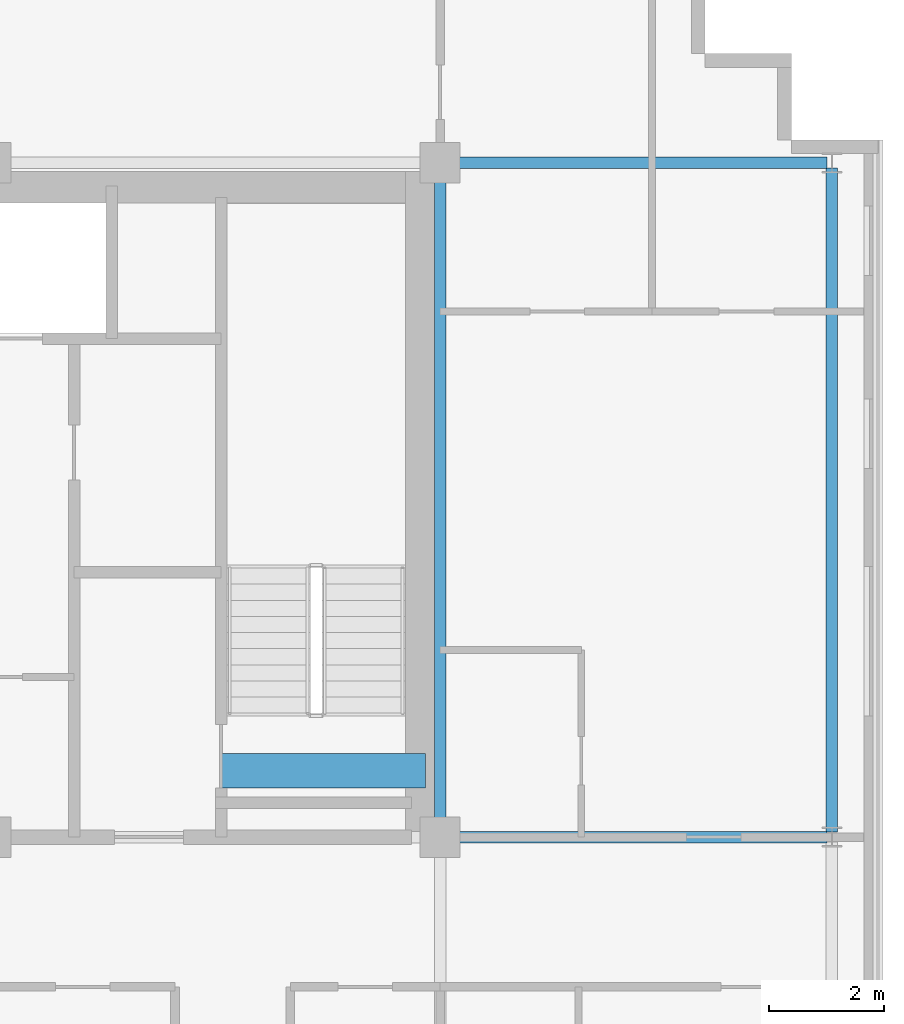
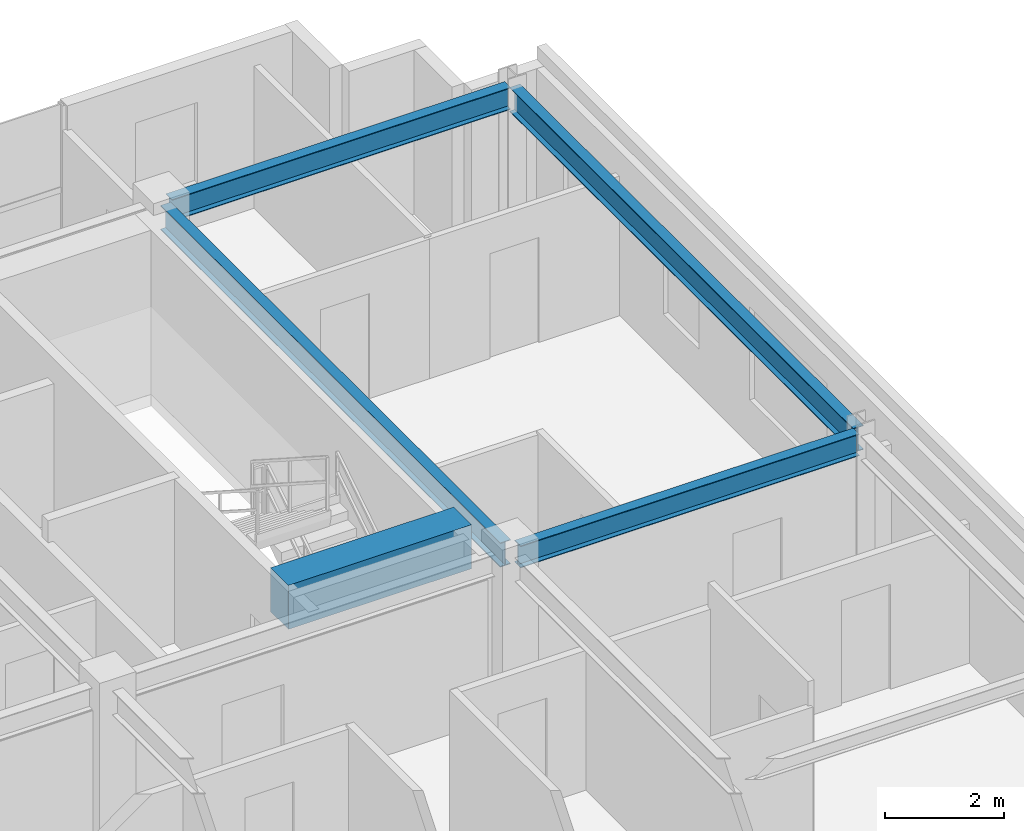
# One storey, part 13 of 23: 5 beams.
"""IFC4 building model written with IfcOpenShell, lengths in metres."""

from ifc_helpers import new_model, si_unit, direction, frame, origin, origin_2d, place, context, subcontext, project, spatial, rectangle, i_section, extrude, source, transform, mapped, material, material_profile, profile_set, type_object, element, save


model = new_model("IFC4")

# Units and contexts
model_context = context("Model", 3, precision=1e-05, world=origin(), true_north=direction((0.0, 1.0)))
body_context = subcontext(model_context, "Body", "Model", "MODEL_VIEW")
ifc_project = project(units=[si_unit("LENGTHUNIT", "METRE"), si_unit("AREAUNIT", "SQUARE_METRE"), si_unit("VOLUMEUNIT", "CUBIC_METRE"), si_unit("PLANEANGLEUNIT", "RADIAN"), si_unit("MASSUNIT", "GRAM", prefix="KILO")], contexts=[model_context])

# Site, building, storey
site_placement = place(None, origin())
site = spatial("IfcSite", under=ifc_project, at=site_placement, CompositionType="ELEMENT")
building_placement = place(site_placement, origin())
building = spatial("IfcBuilding", under=site, at=building_placement, Name="Trelvane Seafront Commons", CompositionType="ELEMENT")
storey_placement = place(building_placement, frame((0.0, 0.0, 208.5)))
storey = spatial("IfcBuildingStorey", under=building, at=storey_placement, Name="L54", CompositionType="ELEMENT", Elevation=208.5)

# Beams
ifc_material_1 = material(Name="Concrete C60/75", Category="concrete")
ifc_material_profile_1 = material_profile(ifc_material_1, rectangle(XDim=0.60009765625, YDim=0.89990234375, at=origin_2d()), Name="RC-600x900")
ifc_profile_set_1 = profile_set([ifc_material_profile_1], Name="Concrete C60/75")
beam_type_1 = type_object("IfcBeamType", Name="STR-LNT-RC600x900", PredefinedType="LINTEL", material=ifc_profile_set_1)
shared_shape_1 = source(origin(), body_context, "Body", "SweptSolid", [
    extrude(rectangle(XDim=0.60009765625, YDim=0.89990234375, at=origin_2d()), origin(), (0.0, 0.0, 1.0), 3.550048828125),
])
beam_1_placement = place(storey_placement, frame((55.0, 34.550048828125, 2.909912109375), z_axis=(1.0, 0.0, 0.0), x_axis=(0.0, 1.0, 0.0)))
element("IfcBeam", 1, at=beam_1_placement, inside=storey, type_object=beam_type_1, Name="L54 Core Coupling Lintel Beam CB-68", PredefinedType="LINTEL", context=body_context, shape_type="MappedRepresentation", body=[
    mapped(shared_shape_1, transform((0.0, 0.0, 0.0), x_axis=(1.0, 0.0, 0.0), y_axis=(0.0, 1.0, 0.0), z_axis=(0.0, 0.0, 1.0), scale=1.0)),
])
ifc_material_2 = material(Name="Steel SM355 (S355)", Category="steel")
ifc_material_profile_2 = material_profile(ifc_material_2, i_section(OverallWidth=0.199951171875, OverallDepth=0.5, WebThickness=0.010009765625, FlangeThickness=0.01611328125, at=origin_2d()), Name="H-500x200x10x16")
ifc_profile_set_2 = profile_set([ifc_material_profile_2], Name="Steel SM355 (S355)")
beam_type_2 = type_object("IfcBeamType", Name="STR-BM-H500", PredefinedType="BEAM", material=ifc_profile_set_2)
shared_shape_2 = source(origin(), body_context, "Body", "SweptSolid", [
    extrude(i_section(OverallWidth=0.199951171875, OverallDepth=0.5, WebThickness=0.010009765625, FlangeThickness=0.01611328125, at=origin_2d()), origin(), (0.0, 0.0, 1.0), 11.39990234375),
])
beam_2_placement = place(storey_placement, frame((58.800048828125, 33.550048828125, 3.110107421875), z_axis=(0.0, 1.0, 0.0), x_axis=(-1.0, 0.0, 0.0)))
element("IfcBeam", 2, at=beam_2_placement, inside=storey, type_object=beam_type_2, Name="L54 Primary Girder G-49", PredefinedType="BEAM", context=body_context, shape_type="MappedRepresentation", body=[
    mapped(shared_shape_2, transform((0.0, 0.0, 0.0), x_axis=(1.0, 0.0, 0.0), y_axis=(0.0, 1.0, 0.0), z_axis=(0.0, 0.0, 1.0), scale=1.0)),
])
ifc_material_profile_3 = material_profile(ifc_material_2, i_section(OverallWidth=0.199951171875, OverallDepth=0.449951171875, WebThickness=0.009033203125, FlangeThickness=0.013916015625, at=origin_2d()), Name="H-450x200x9x14")
ifc_profile_set_3 = profile_set([ifc_material_profile_3], Name="Steel SM355 (S355)")
beam_type_3 = type_object("IfcBeamType", Name="STR-SPD-H450", PredefinedType="SPANDREL", material=ifc_profile_set_3)
shared_shape_3 = source(origin(), body_context, "Body", "SweptSolid", [
    extrude(i_section(OverallWidth=0.199951171875, OverallDepth=0.449951171875, WebThickness=0.009033203125, FlangeThickness=0.013916015625, at=origin_2d()), origin(), (0.0, 0.0, 1.0), 6.5625),
])
for number, where, z_axis, x_axis, name in (
    (3, (58.949951171875, 33.39990234375, 3.135009765625), (1.0, 0.0, 0.0), (0.0, 1.0, 0.0), "L54 Primary Girder G-21"),
    (4, (58.949951171875, 45.10009765625, 3.135009765625), (1.0, 0.0, 0.0), (0.0, 1.0, 0.0), "L54 Primary Girder G-28"),
):
    element("IfcBeam", number, at=place(storey_placement, frame(where, z_axis=z_axis, x_axis=x_axis)), inside=storey, type_object=beam_type_3, Name=name, PredefinedType="SPANDREL", context=body_context, shape_type="MappedRepresentation", body=[
        mapped(shared_shape_3, transform((0.0, 0.0, 0.0), x_axis=(1.0, 0.0, 0.0), y_axis=(0.0, 1.0, 0.0), z_axis=(0.0, 0.0, 1.0), scale=1.0)),
    ])
shared_shape_4 = source(origin(), body_context, "Body", "SweptSolid", [
    extrude(i_section(OverallWidth=0.199951171875, OverallDepth=0.5, WebThickness=0.010009765625, FlangeThickness=0.01611328125, at=origin_2d()), origin(), (0.0, 0.0, 1.0), 11.52490234375),
])
beam_3_placement = place(storey_placement, frame((65.60009765625, 33.487548828125, 3.110107421875), z_axis=(0.0, 1.0, 0.0), x_axis=(-1.0, 0.0, 0.0)))
element("IfcBeam", 5, at=beam_3_placement, inside=storey, type_object=beam_type_2, Name="L54 Primary Girder G-52", PredefinedType="BEAM", context=body_context, shape_type="MappedRepresentation", body=[
    mapped(shared_shape_4, transform((0.0, 0.0, 0.0), x_axis=(1.0, 0.0, 0.0), y_axis=(0.0, 1.0, 0.0), z_axis=(0.0, 0.0, 1.0), scale=1.0)),
])

save(model, "model.ifc")
